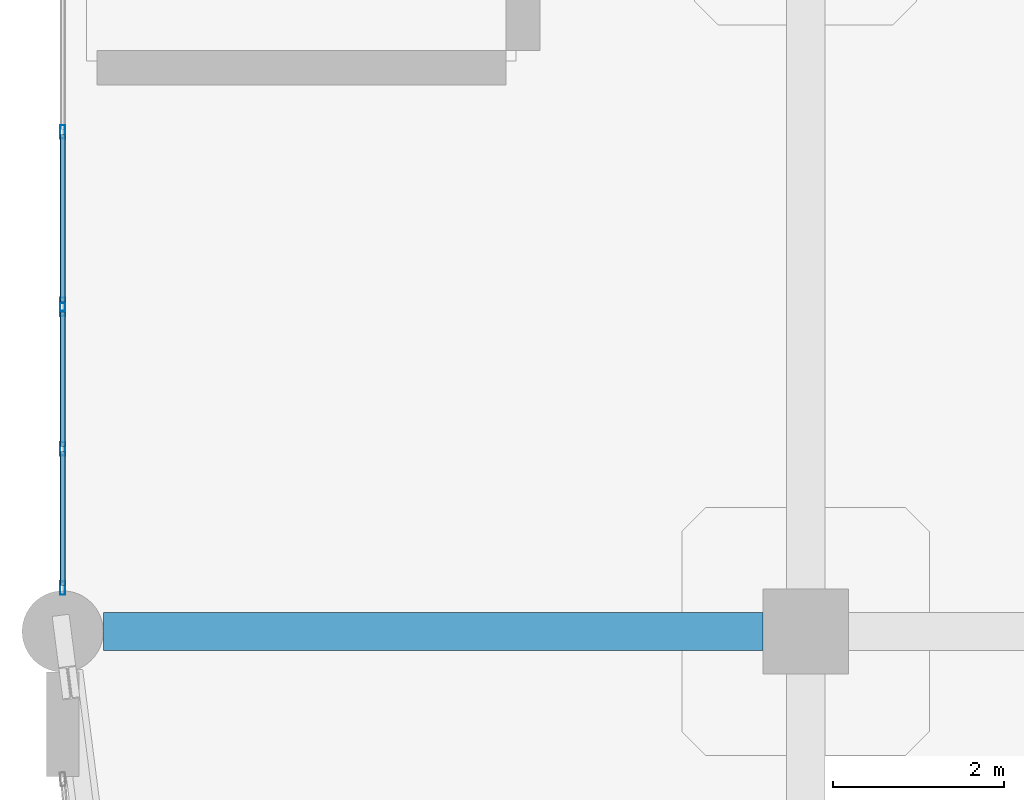
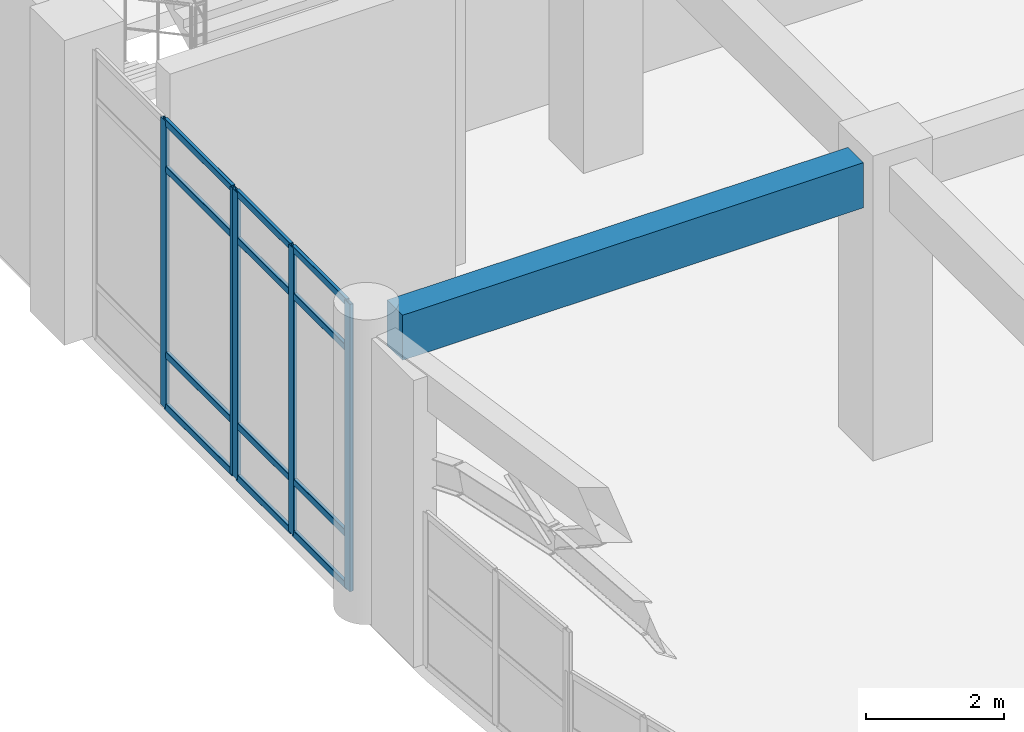
# One storey, part 10 of 114: 17 members, 1 beam, 2 elements without a shape of their own.
"""IFC4 building model written with IfcOpenShell, lengths in metres."""

from ifc_helpers import new_model, si_unit, derived_unit, direction, frame, origin, origin_2d, place, context, subcontext, project, spatial, rectangle, hollow_rectangle, extrude, material, layer, layer_set, material_profile, profile_set, type_object, element, aggregate, save


model = new_model("IFC4")

# Units and contexts
model_context = context("Model", 3, precision=1e-05, world=origin(), true_north=direction((0.0, 1.0)))
body_context = subcontext(model_context, "Body", "Model", "MODEL_VIEW")
ifc_project = project(units=[si_unit("LENGTHUNIT", "METRE"), si_unit("AREAUNIT", "SQUARE_METRE"), si_unit("VOLUMEUNIT", "CUBIC_METRE"), si_unit("PLANEANGLEUNIT", "RADIAN"), si_unit("MASSUNIT", "GRAM", prefix="KILO"), derived_unit("THERMALTRANSMITTANCEUNIT", [(si_unit("MASSUNIT", "GRAM", prefix="KILO"), 1), (si_unit("TIMEUNIT", "SECOND"), -3), (si_unit("THERMODYNAMICTEMPERATUREUNIT", "KELVIN"), -1)])], contexts=[model_context])

# Site, building, storey
site_placement = place(None, origin())
site = spatial("IfcSite", under=ifc_project, at=site_placement, CompositionType="ELEMENT")
building_placement = place(site_placement, origin())
building = spatial("IfcBuilding", under=site, at=building_placement, Name="Qinzheling Arcade Emporium", CompositionType="ELEMENT")
storey_placement = place(building_placement, frame((0.0, 0.0, 6.0)))
storey = spatial("IfcBuildingStorey", under=building, at=storey_placement, Name="L02", CompositionType="ELEMENT", Elevation=6.0)

# Curtain wall, members
ifc_material_1 = material(Name="Anodised aluminium and solar-control double glazing", Category="aluminium")
ifc_layer = layer(ifc_material_1, 0.159912109375, Name="Anodised aluminium and solar-control double glazing", Category="aluminium")
ifc_layer_set = layer_set([ifc_layer], Name="Anodised aluminium and solar-control double glazing")
curtain_wall_type = type_object("IfcCurtainWallType", Name="Arcade Portal Glazed Curtain Wall", PredefinedType="NOTDEFINED", material=ifc_layer_set)
curtain_wall_1_placement = place(storey_placement, origin())
curtain_wall_1 = element("IfcCurtainWall", 1, at=curtain_wall_1_placement, inside=storey, type_object=curtain_wall_type, Name="Curtain Wall CW-L02-083", PredefinedType="NOTDEFINED")
ifc_material_2 = material(Name="Anodised aluminium 6063-T6", Category="aluminium")
ifc_material_profile_1 = material_profile(ifc_material_2, hollow_rectangle(XDim=0.06005859375, YDim=0.159912109375, WallThickness=0.00390625, InnerFilletRadius=0.00390625, OuterFilletRadius=0.008056640625, at=origin_2d()), Name="RHS 160x60x4", Category="aluminium")
ifc_profile_set_1 = profile_set([ifc_material_profile_1], Name="Anodised aluminium 6063-T6")
member_type_1 = type_object("IfcMemberType", Name="Curtain Wall Mullion RHS160x60", PredefinedType="MULLION", material=ifc_profile_set_1)
member_1_placement = place(storey_placement, frame((0.0, 25.70703125, 0.0), z_axis=(0.0, 0.0, 1.0), x_axis=(-1.0, 0.0, 0.0)))
member_1 = element("IfcMember", 2, at=member_1_placement, type_object=member_type_1, Name="CW05 mullion 1", PredefinedType="MULLION", context=body_context, shape_type="SweptSolid", body=[
    extrude(hollow_rectangle(XDim=0.06005859375, YDim=0.159912109375, WallThickness=0.00390625, InnerFilletRadius=0.00390625, OuterFilletRadius=0.008056640625, at=origin_2d()), origin(), (0.0, 0.0, 1.0), 5.090087890625),
])
member_2_placement = place(storey_placement, frame((0.0, 27.33837890625, 0.0), z_axis=(0.0, 0.0, 1.0), x_axis=(-1.0, 0.0, 0.0)))
member_2 = element("IfcMember", 3, at=member_2_placement, type_object=member_type_1, Name="CW05 mullion 2", PredefinedType="MULLION", context=body_context, shape_type="SweptSolid", body=[
    extrude(hollow_rectangle(XDim=0.06005859375, YDim=0.159912109375, WallThickness=0.00390625, InnerFilletRadius=0.00390625, OuterFilletRadius=0.008056640625, at=origin_2d()), origin(), (0.0, 0.0, 1.0), 5.090087890625),
])
member_3_placement = place(storey_placement, frame((0.0, 28.969970703125, 0.0), z_axis=(0.0, 0.0, 1.0), x_axis=(-1.0, 0.0, 0.0)))
member_3 = element("IfcMember", 4, at=member_3_placement, type_object=member_type_1, Name="CW05 mullion 3", PredefinedType="MULLION", context=body_context, shape_type="SweptSolid", body=[
    extrude(hollow_rectangle(XDim=0.06005859375, YDim=0.159912109375, WallThickness=0.00390625, InnerFilletRadius=0.00390625, OuterFilletRadius=0.008056640625, at=origin_2d()), origin(), (0.0, 0.0, 1.0), 5.090087890625),
])

curtain_wall_2_placement = place(storey_placement, origin())
curtain_wall_2 = element("IfcCurtainWall", 5, at=curtain_wall_2_placement, inside=storey, type_object=curtain_wall_type, Name="Curtain Wall CW-L02-084", PredefinedType="NOTDEFINED")
member_4_placement = place(storey_placement, frame((0.0, 29.030029296875, 0.0), z_axis=(0.0, 0.0, 1.0), x_axis=(-1.0, 0.0, 0.0)))
member_4 = element("IfcMember", 6, at=member_4_placement, type_object=member_type_1, Name="CW05 mullion 1", PredefinedType="MULLION", context=body_context, shape_type="SweptSolid", body=[
    extrude(hollow_rectangle(XDim=0.06005859375, YDim=0.159912109375, WallThickness=0.00390625, InnerFilletRadius=0.00390625, OuterFilletRadius=0.008056640625, at=origin_2d()), origin(), (0.0, 0.0, 1.0), 5.090087890625),
])
member_5_placement = place(storey_placement, frame((0.0, 31.049072265625, 0.0), z_axis=(0.0, 0.0, 1.0), x_axis=(-1.0, 0.0, 0.0)))
member_5 = element("IfcMember", 7, at=member_5_placement, type_object=member_type_1, Name="CW05 mullion 2", PredefinedType="MULLION", context=body_context, shape_type="SweptSolid", body=[
    extrude(hollow_rectangle(XDim=0.06005859375, YDim=0.159912109375, WallThickness=0.00390625, InnerFilletRadius=0.00390625, OuterFilletRadius=0.008056640625, at=origin_2d()), origin(), (0.0, 0.0, 1.0), 5.090087890625),
])

# Member
ifc_material_profile_2 = material_profile(ifc_material_2, hollow_rectangle(XDim=0.06005859375, YDim=0.1201171875, WallThickness=0.00390625, InnerFilletRadius=0.00390625, OuterFilletRadius=0.008056640625, at=origin_2d()), Name="RHS 120x60x4", Category="aluminium")
ifc_profile_set_2 = profile_set([ifc_material_profile_2], Name="Anodised aluminium 6063-T6")
member_type_2 = type_object("IfcMemberType", Name="Curtain Wall Transom RHS120x60", PredefinedType="USERDEFINED", material=ifc_profile_set_2)
member_6_placement = place(storey_placement, frame((0.0, 25.737060546875, 0.030029296875), z_axis=(0.0, 1.0, 0.0), x_axis=(-1.0, 0.0, 0.0)))
member_6 = element("IfcMember", 8, at=member_6_placement, type_object=member_type_2, Name="CW05 transom 1.1", ObjectType="TRANSOM", PredefinedType="USERDEFINED", context=body_context, shape_type="SweptSolid", body=[
    extrude(hollow_rectangle(XDim=0.06005859375, YDim=0.1201171875, WallThickness=0.00390625, InnerFilletRadius=0.00390625, OuterFilletRadius=0.008056640625, at=origin_2d()), origin(), (0.0, 0.0, 1.0), 1.571533203125),
])

member_7_placement = place(storey_placement, frame((0.0, 25.737060546875, 0.949951171875), z_axis=(0.0, 1.0, 0.0), x_axis=(-1.0, 0.0, 0.0)))
member_7 = element("IfcMember", 9, at=member_7_placement, type_object=member_type_2, Name="CW05 transom 1.2", ObjectType="TRANSOM", PredefinedType="USERDEFINED", context=body_context, shape_type="SweptSolid", body=[
    extrude(hollow_rectangle(XDim=0.06005859375, YDim=0.1201171875, WallThickness=0.00390625, InnerFilletRadius=0.00390625, OuterFilletRadius=0.008056640625, at=origin_2d()), origin(), (0.0, 0.0, 1.0), 1.571533203125),
])

member_8_placement = place(storey_placement, frame((0.0, 25.737060546875, 4.239990234375), z_axis=(0.0, 1.0, 0.0), x_axis=(-1.0, 0.0, 0.0)))
member_8 = element("IfcMember", 10, at=member_8_placement, type_object=member_type_2, Name="CW05 transom 1.3", ObjectType="TRANSOM", PredefinedType="USERDEFINED", context=body_context, shape_type="SweptSolid", body=[
    extrude(hollow_rectangle(XDim=0.06005859375, YDim=0.1201171875, WallThickness=0.00390625, InnerFilletRadius=0.00390625, OuterFilletRadius=0.008056640625, at=origin_2d()), origin(), (0.0, 0.0, 1.0), 1.571533203125),
])

member_9_placement = place(storey_placement, frame((0.0, 25.737060546875, 5.06005859375), z_axis=(0.0, 1.0, 0.0), x_axis=(-1.0, 0.0, 0.0)))
member_9 = element("IfcMember", 11, at=member_9_placement, type_object=member_type_2, Name="CW05 transom 1.4", ObjectType="TRANSOM", PredefinedType="USERDEFINED", context=body_context, shape_type="SweptSolid", body=[
    extrude(hollow_rectangle(XDim=0.06005859375, YDim=0.1201171875, WallThickness=0.00390625, InnerFilletRadius=0.00390625, OuterFilletRadius=0.008056640625, at=origin_2d()), origin(), (0.0, 0.0, 1.0), 1.571533203125),
])

member_10_placement = place(storey_placement, frame((0.0, 27.368408203125, 0.030029296875), z_axis=(0.0, 1.0, 0.0), x_axis=(-1.0, 0.0, 0.0)))
member_10 = element("IfcMember", 12, at=member_10_placement, type_object=member_type_2, Name="CW05 transom 2.1", ObjectType="TRANSOM", PredefinedType="USERDEFINED", context=body_context, shape_type="SweptSolid", body=[
    extrude(hollow_rectangle(XDim=0.06005859375, YDim=0.1201171875, WallThickness=0.00390625, InnerFilletRadius=0.00390625, OuterFilletRadius=0.008056640625, at=origin_2d()), origin(), (0.0, 0.0, 1.0), 1.571533203125),
])

member_11_placement = place(storey_placement, frame((0.0, 27.368408203125, 0.949951171875), z_axis=(0.0, 1.0, 0.0), x_axis=(-1.0, 0.0, 0.0)))
member_11 = element("IfcMember", 13, at=member_11_placement, type_object=member_type_2, Name="CW05 transom 2.2", ObjectType="TRANSOM", PredefinedType="USERDEFINED", context=body_context, shape_type="SweptSolid", body=[
    extrude(hollow_rectangle(XDim=0.06005859375, YDim=0.1201171875, WallThickness=0.00390625, InnerFilletRadius=0.00390625, OuterFilletRadius=0.008056640625, at=origin_2d()), origin(), (0.0, 0.0, 1.0), 1.571533203125),
])

member_12_placement = place(storey_placement, frame((0.0, 27.368408203125, 4.239990234375), z_axis=(0.0, 1.0, 0.0), x_axis=(-1.0, 0.0, 0.0)))
member_12 = element("IfcMember", 14, at=member_12_placement, type_object=member_type_2, Name="CW05 transom 2.3", ObjectType="TRANSOM", PredefinedType="USERDEFINED", context=body_context, shape_type="SweptSolid", body=[
    extrude(hollow_rectangle(XDim=0.06005859375, YDim=0.1201171875, WallThickness=0.00390625, InnerFilletRadius=0.00390625, OuterFilletRadius=0.008056640625, at=origin_2d()), origin(), (0.0, 0.0, 1.0), 1.571533203125),
])

member_13_placement = place(storey_placement, frame((0.0, 27.368408203125, 5.06005859375), z_axis=(0.0, 1.0, 0.0), x_axis=(-1.0, 0.0, 0.0)))
member_13 = element("IfcMember", 15, at=member_13_placement, type_object=member_type_2, Name="CW05 transom 2.4", ObjectType="TRANSOM", PredefinedType="USERDEFINED", context=body_context, shape_type="SweptSolid", body=[
    extrude(hollow_rectangle(XDim=0.06005859375, YDim=0.1201171875, WallThickness=0.00390625, InnerFilletRadius=0.00390625, OuterFilletRadius=0.008056640625, at=origin_2d()), origin(), (0.0, 0.0, 1.0), 1.571533203125),
])

aggregate(curtain_wall_1, [member_1, member_2, member_3, member_6, member_7, member_8, member_9, member_10, member_11, member_12, member_13])

member_14_placement = place(storey_placement, frame((0.0, 29.06005859375, 0.030029296875), z_axis=(0.0, 1.0, 0.0), x_axis=(-1.0, 0.0, 0.0)))
member_14 = element("IfcMember", 16, at=member_14_placement, type_object=member_type_2, Name="CW05 transom 1.1", ObjectType="TRANSOM", PredefinedType="USERDEFINED", context=body_context, shape_type="SweptSolid", body=[
    extrude(hollow_rectangle(XDim=0.06005859375, YDim=0.1201171875, WallThickness=0.00390625, InnerFilletRadius=0.00390625, OuterFilletRadius=0.008056640625, at=origin_2d()), origin(), (0.0, 0.0, 1.0), 1.958984375),
])

member_15_placement = place(storey_placement, frame((0.0, 29.06005859375, 0.949951171875), z_axis=(0.0, 1.0, 0.0), x_axis=(-1.0, 0.0, 0.0)))
member_15 = element("IfcMember", 17, at=member_15_placement, type_object=member_type_2, Name="CW05 transom 1.2", ObjectType="TRANSOM", PredefinedType="USERDEFINED", context=body_context, shape_type="SweptSolid", body=[
    extrude(hollow_rectangle(XDim=0.06005859375, YDim=0.1201171875, WallThickness=0.00390625, InnerFilletRadius=0.00390625, OuterFilletRadius=0.008056640625, at=origin_2d()), origin(), (0.0, 0.0, 1.0), 1.958984375),
])

member_16_placement = place(storey_placement, frame((0.0, 29.06005859375, 4.239990234375), z_axis=(0.0, 1.0, 0.0), x_axis=(-1.0, 0.0, 0.0)))
member_16 = element("IfcMember", 18, at=member_16_placement, type_object=member_type_2, Name="CW05 transom 1.3", ObjectType="TRANSOM", PredefinedType="USERDEFINED", context=body_context, shape_type="SweptSolid", body=[
    extrude(hollow_rectangle(XDim=0.06005859375, YDim=0.1201171875, WallThickness=0.00390625, InnerFilletRadius=0.00390625, OuterFilletRadius=0.008056640625, at=origin_2d()), origin(), (0.0, 0.0, 1.0), 1.958984375),
])

member_17_placement = place(storey_placement, frame((0.0, 29.06005859375, 5.06005859375), z_axis=(0.0, 1.0, 0.0), x_axis=(-1.0, 0.0, 0.0)))
member_17 = element("IfcMember", 19, at=member_17_placement, type_object=member_type_2, Name="CW05 transom 1.4", ObjectType="TRANSOM", PredefinedType="USERDEFINED", context=body_context, shape_type="SweptSolid", body=[
    extrude(hollow_rectangle(XDim=0.06005859375, YDim=0.1201171875, WallThickness=0.00390625, InnerFilletRadius=0.00390625, OuterFilletRadius=0.008056640625, at=origin_2d()), origin(), (0.0, 0.0, 1.0), 1.958984375),
])

aggregate(curtain_wall_2, [member_4, member_5, member_14, member_15, member_16, member_17])

# Beam
ifc_material_3 = material(Name="Concrete C40", Category="concrete")
ifc_material_profile_3 = material_profile(ifc_material_3, rectangle(XDim=0.449951171875, YDim=0.800048828125, at=origin_2d()), Name="RC 450x800", Category="concrete")
ifc_profile_set_3 = profile_set([ifc_material_profile_3], Name="Concrete C40")
beam_type = type_object("IfcBeamType", Name="RC Primary Frame Beam 450x800 C40", PredefinedType="BEAM", material=ifc_profile_set_3)
beam_placement = place(storey_placement, frame((0.47509765625, 25.199951171875, 4.719970703125), z_axis=(1.0, 0.0, 0.0), x_axis=(0.0, 1.0, 0.0)))
element("IfcBeam", 20, at=beam_placement, inside=storey, type_object=beam_type, Name="Beam BM-L02-X-D-1", PredefinedType="BEAM", context=body_context, shape_type="SweptSolid", body=[
    extrude(rectangle(XDim=0.449951171875, YDim=0.800048828125, at=origin_2d()), origin(), (0.0, 0.0, 1.0), 7.724853515625),
])

save(model, "model.ifc")
